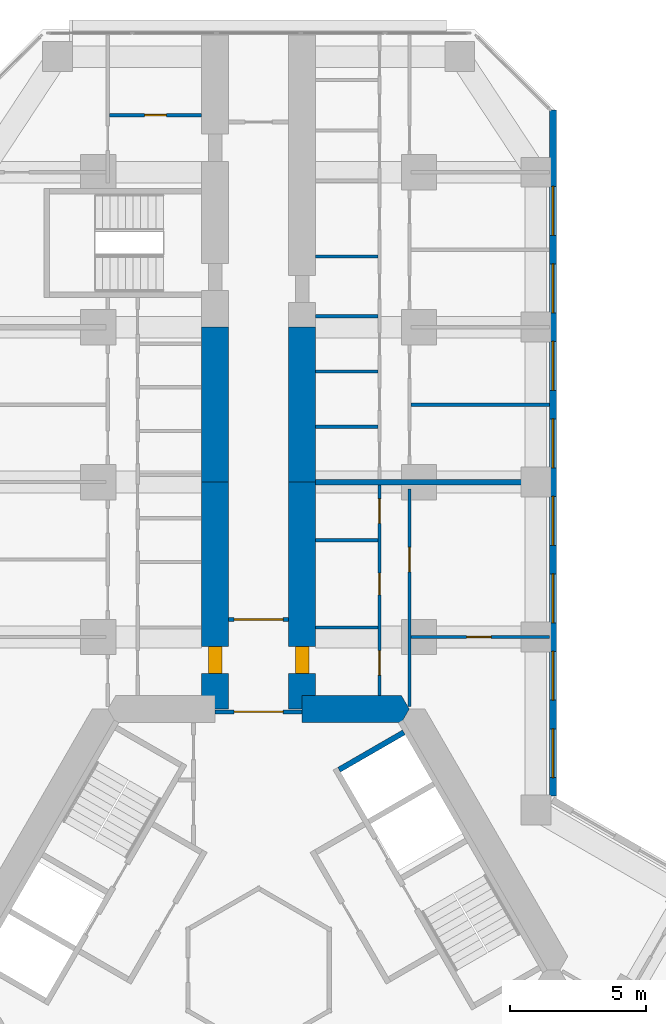
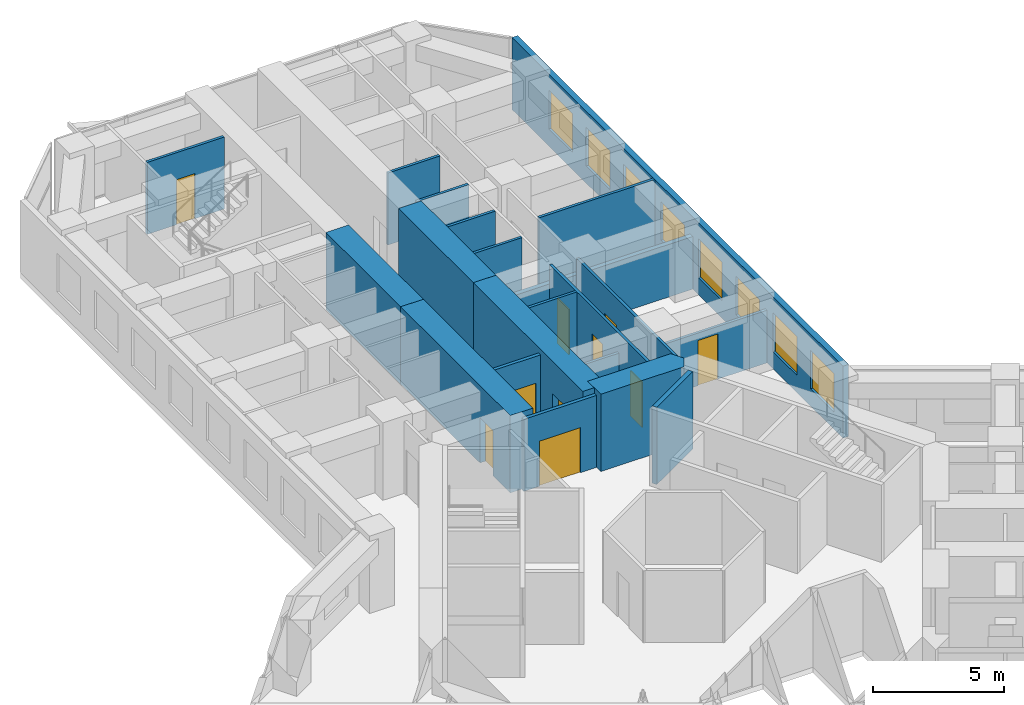
# One storey, part 18 of 21: 21 walls, 10 doors, 8 windows, 18 openings.
"""IFC4 building model written with IfcOpenShell, lengths in metres."""

from ifc_helpers import new_model, si_unit, direction, frame, frame_2d, origin, place, context, subcontext, project, spatial, polyline, rectangle, outline, extrude, material, layer, layer_set, type_object, element, fill, save


model = new_model("IFC4")

# Units and contexts
model_context = context("Model", 3, precision=1e-05, world=origin(), true_north=direction((0.0, 1.0)))
body_context = subcontext(model_context, "Body", "Model", "MODEL_VIEW")
ifc_project = project(units=[si_unit("LENGTHUNIT", "METRE"), si_unit("AREAUNIT", "SQUARE_METRE"), si_unit("VOLUMEUNIT", "CUBIC_METRE"), si_unit("PLANEANGLEUNIT", "RADIAN"), si_unit("MASSUNIT", "GRAM", prefix="KILO")], contexts=[model_context])

# Site, building, storey
site_placement = place(None, origin())
site = spatial("IfcSite", under=ifc_project, at=site_placement, CompositionType="ELEMENT")
building_placement = place(site_placement, origin())
building = spatial("IfcBuilding", under=site, at=building_placement, Name="Kosmar Iwan School Tower", CompositionType="ELEMENT")
storey_placement = place(building_placement, frame((0.0, 0.0, 39.39990234375)))
storey = spatial("IfcBuildingStorey", under=building, at=storey_placement, Name="L08", CompositionType="ELEMENT", Elevation=39.39990234375)

# Wall
ifc_material_1 = material(Name="Concrete C50/60", Category="concrete")
ifc_layer_1 = layer(ifc_material_1, 1.0)
ifc_layer_set_1 = layer_set([ifc_layer_1], Name="Core wall 1000")
wall_type_1 = type_object("IfcWallType", Name="Core wall 1000", PredefinedType="SHEAR", material=ifc_layer_set_1)
wall_1_placement = place(storey_placement, origin())
element("IfcWall", 1, at=wall_1_placement, inside=storey, type_object=wall_type_1, Name="Core wall F090a", PredefinedType="SHEAR", context=body_context, shape_type="SweptSolid", body=[
    extrude(outline(polyline([(1.60009765625, 9.10009765625), (5.25390625, 9.10009765625), (5.54248046875, 9.60009765625), (5.25390625, 10.10009765625), (1.60009765625, 10.10009765625), (1.60009765625, 9.10009765625)])), origin(), (0.0, 0.0, 1.0), 3.60009765625),
])

# Wall, opening, door
ifc_material_2 = material(Name="Concrete C50/60", Category="concrete")
ifc_layer_2 = layer(ifc_material_2, 1.0)
ifc_layer_set_2 = layer_set([ifc_layer_2], Name="Corridor buttress wall 1000")
wall_type_2 = type_object("IfcWallType", Name="Corridor buttress wall 1000", PredefinedType="SHEAR", material=ifc_layer_set_2)
wall_2_placement = place(storey_placement, frame((-1.60009765625, 9.60009765625, 0.0), z_axis=(0.0, 0.0, 1.0), x_axis=(0.0, 1.0, 0.0)))
wall_2 = element("IfcWall", 2, at=wall_2_placement, inside=storey, type_object=wall_type_2, Name="Corridor wall AL", PredefinedType="SHEAR", context=body_context, shape_type="SweptSolid", body=[
    extrude(rectangle(XDim=8.349853515625, YDim=1.0, at=frame_2d((4.1748046875, 0.0))), origin(), (0.0, 0.0, 1.0), 3.60009765625),
])
opening_1_placement = place(wall_2_placement, frame((1.300048828125, 0.0, 0.0)))
opening_1 = element("IfcOpeningElement", 3, at=opening_1_placement, cuts=wall_2, Name="Opening D1", PredefinedType="OPENING", context=body_context, shape_type="SweptSolid", body=[
    extrude(rectangle(XDim=1.0, YDim=2.10009765625, at=frame_2d((0.5, 1.050048828125))), frame((0.0, 0.511962890625, 0.0), z_axis=(0.0, -1.0, 0.0), x_axis=(1.0, 0.0, 0.0)), (0.0, 0.0, 1.0), 1.02392578125),
])
ifc_material_3 = material(Name="Timber fire door in steel frame", Category="steel")
door_type_1 = type_object("IfcDoorType", Name="Flat entrance door 1000x2100", OperationType="SINGLE_SWING_LEFT", PredefinedType="DOOR", material=ifc_material_3)
door_1_placement = place(opening_1_placement, origin())
door_1 = element("IfcDoor", 4, at=door_1_placement, inside=storey, type_object=door_type_1, Name="Flat L08-AL1 entrance door", OperationType="SINGLE_SWING_RIGHT", OverallHeight=2.10009765625, OverallWidth=1.0, PredefinedType="DOOR", context=body_context, shape_type="SweptSolid", body=[
    extrude(rectangle(XDim=1.0, YDim=2.10009765625, at=frame_2d((0.5, 1.050048828125))), frame((0.0, 0.25, 0.0), z_axis=(0.0, -1.0, 0.0), x_axis=(1.0, 0.0, 0.0)), (0.0, 0.0, 1.0), 0.5),
])
fill(opening_1, door_1)

# Wall
wall_3_placement = place(storey_placement, frame((-1.60009765625, 17.949951171875, 0.0), z_axis=(0.0, 0.0, 1.0), x_axis=(0.0, 1.0, 0.0)))
element("IfcWall", 5, at=wall_3_placement, inside=storey, type_object=wall_type_2, Name="Corridor wall AL bay 2", PredefinedType="SHEAR", context=body_context, shape_type="SweptSolid", body=[
    extrude(rectangle(XDim=5.699951171875, YDim=1.0, at=frame_2d((2.85009765625, 0.0))), origin(), (0.0, 0.0, 1.0), 3.60009765625),
])

# Wall, opening, door
wall_4_placement = place(storey_placement, frame((1.60009765625, 9.60009765625, 0.0), z_axis=(0.0, 0.0, 1.0), x_axis=(0.0, 1.0, 0.0)))
wall_4 = element("IfcWall", 6, at=wall_4_placement, inside=storey, type_object=wall_type_2, Name="Corridor wall AR", PredefinedType="SHEAR", context=body_context, shape_type="SweptSolid", body=[
    extrude(rectangle(XDim=8.349853515625, YDim=1.0, at=frame_2d((4.1748046875, 0.0))), origin(), (0.0, 0.0, 1.0), 3.60009765625),
])
opening_2_placement = place(wall_4_placement, frame((1.300048828125, 0.0, 0.0)))
opening_2 = element("IfcOpeningElement", 7, at=opening_2_placement, cuts=wall_4, Name="Opening D1", PredefinedType="OPENING", context=body_context, shape_type="SweptSolid", body=[
    extrude(rectangle(XDim=1.0, YDim=2.10009765625, at=frame_2d((0.5, 1.050048828125))), frame((0.0, 0.511962890625, 0.0), z_axis=(0.0, -1.0, 0.0), x_axis=(1.0, 0.0, 0.0)), (0.0, 0.0, 1.0), 1.02392578125),
])
door_2_placement = place(opening_2_placement, origin())
door_2 = element("IfcDoor", 8, at=door_2_placement, inside=storey, type_object=door_type_1, Name="Flat L08-AR1 entrance door", OperationType="SINGLE_SWING_RIGHT", OverallHeight=2.10009765625, OverallWidth=1.0, PredefinedType="DOOR", context=body_context, shape_type="SweptSolid", body=[
    extrude(rectangle(XDim=1.0, YDim=2.10009765625, at=frame_2d((0.5, 1.050048828125))), frame((0.0, 0.25, 0.0), z_axis=(0.0, -1.0, 0.0), x_axis=(1.0, 0.0, 0.0)), (0.0, 0.0, 1.0), 0.5),
])
fill(opening_2, door_2)

# Wall
wall_5_placement = place(storey_placement, frame((1.60009765625, 17.949951171875, 0.0), z_axis=(0.0, 0.0, 1.0), x_axis=(0.0, 1.0, 0.0)))
element("IfcWall", 9, at=wall_5_placement, inside=storey, type_object=wall_type_2, Name="Corridor wall AR bay 2", PredefinedType="SHEAR", context=body_context, shape_type="SweptSolid", body=[
    extrude(rectangle(XDim=5.699951171875, YDim=1.0, at=frame_2d((2.85009765625, 0.0))), origin(), (0.0, 0.0, 1.0), 3.60009765625),
])

# Wall, opening, door
ifc_material_4 = material(Name="Gypsum board on steel studs, fire-rated", Category="steel")
ifc_layer_3 = layer(ifc_material_4, 0.14990234375)
ifc_layer_set_3 = layer_set([ifc_layer_3], Name="Corridor end wall 150")
wall_type_3 = type_object("IfcWallType", Name="Corridor end wall 150", PredefinedType="PARTITIONING", material=ifc_layer_set_3)
wall_6_placement = place(storey_placement, frame((1.10009765625, 12.89990234375, 0.0), z_axis=(0.0, 0.0, 1.0), x_axis=(-1.0, 0.0, 0.0)))
wall_6 = element("IfcWall", 10, at=wall_6_placement, inside=storey, type_object=wall_type_3, Name="Partition L08-A-HW", PredefinedType="PARTITIONING", context=body_context, shape_type="SweptSolid", body=[
    extrude(rectangle(XDim=2.2001953125, YDim=0.14990234375, at=frame_2d((1.10009765625, 0.0))), origin(), (0.0, 0.0, 1.0), 3.35009765625),
])
opening_3_placement = place(wall_6_placement, frame((0.199951171875, 0.0, 0.0)))
opening_3 = element("IfcOpeningElement", 11, at=opening_3_placement, cuts=wall_6, Name="Opening D9", PredefinedType="OPENING", context=body_context, shape_type="SweptSolid", body=[
    extrude(rectangle(XDim=1.800048828125, YDim=2.10009765625, at=frame_2d((0.89990234375, 1.050048828125))), frame((0.0, 0.0869140625, 0.0), z_axis=(0.0, -1.0, 0.0), x_axis=(1.0, 0.0, 0.0)), (0.0, 0.0, 1.0), 0.173828125),
])
ifc_material_5 = material(Name="Steel framed glazed smoke door", Category="steel")
door_type_2 = type_object("IfcDoorType", Name="Corridor smoke door pair 1800x2100", OperationType="DOUBLE_DOOR_DOUBLE_SWING", PredefinedType="DOOR", material=ifc_material_5)
door_3_placement = place(opening_3_placement, origin())
door_3 = element("IfcDoor", 12, at=door_3_placement, inside=storey, type_object=door_type_2, Name="Entrance vestibule smoke doors L08-A", OperationType="DOUBLE_DOOR_DOUBLE_SWING", OverallHeight=2.10009765625, OverallWidth=1.800048828125, PredefinedType="DOOR", context=body_context, shape_type="SweptSolid", body=[
    extrude(rectangle(XDim=1.800048828125, YDim=2.10009765625, at=frame_2d((0.89990234375, 1.050048828125))), frame((0.0, 0.02490234375, 0.0), z_axis=(0.0, -1.0, 0.0), x_axis=(1.0, 0.0, 0.0)), (0.0, 0.0, 1.0), 0.050048828125),
])
fill(opening_3, door_3)

ifc_material_6 = material(Name="Steel framed glazed screen", Category="steel")
ifc_layer_4 = layer(ifc_material_6, 0.14990234375)
ifc_layer_set_4 = layer_set([ifc_layer_4], Name="Corridor screen wall 150")
wall_type_4 = type_object("IfcWallType", Name="Corridor screen wall 150", PredefinedType="PARTITIONING", material=ifc_layer_set_4)
wall_7_placement = place(storey_placement, frame((1.60009765625, 9.5, 0.0), z_axis=(0.0, 0.0, 1.0), x_axis=(-1.0, 0.0, 0.0)))
wall_7 = element("IfcWall", 13, at=wall_7_placement, inside=storey, type_object=wall_type_4, Name="Corridor screen A L08", PredefinedType="PARTITIONING", context=body_context, shape_type="SweptSolid", body=[
    extrude(rectangle(XDim=3.2001953125, YDim=0.14990234375, at=frame_2d((1.60009765625, 0.0))), origin(), (0.0, 0.0, 1.0), 3.35009765625),
])
opening_4_placement = place(wall_7_placement, frame((0.699951171875, 0.0, 0.0)))
opening_4 = element("IfcOpeningElement", 14, at=opening_4_placement, cuts=wall_7, Name="Opening D9", PredefinedType="OPENING", context=body_context, shape_type="SweptSolid", body=[
    extrude(rectangle(XDim=1.800048828125, YDim=2.10009765625, at=frame_2d((0.89990234375, 1.050048828125))), frame((0.0, 0.0869140625, 0.0), z_axis=(0.0, -1.0, 0.0), x_axis=(1.0, 0.0, 0.0)), (0.0, 0.0, 1.0), 0.173828125),
])
door_4_placement = place(opening_4_placement, origin())
door_4 = element("IfcDoor", 15, at=door_4_placement, inside=storey, type_object=door_type_2, Name="Corridor doors A L08", OperationType="DOUBLE_DOOR_DOUBLE_SWING", OverallHeight=2.10009765625, OverallWidth=1.800048828125, PredefinedType="DOOR", context=body_context, shape_type="SweptSolid", body=[
    extrude(rectangle(XDim=1.800048828125, YDim=2.10009765625, at=frame_2d((0.89990234375, 1.050048828125))), frame((0.0, 0.02490234375, 0.0), z_axis=(0.0, -1.0, 0.0), x_axis=(1.0, 0.0, 0.0)), (0.0, 0.0, 1.0), 0.050048828125),
])
fill(opening_4, door_4)

ifc_material_7 = material(Name="Gypsum board on steel studs", Category="steel")
ifc_layer_5 = layer(ifc_material_7, 0.1201171875)
ifc_layer_set_5 = layer_set([ifc_layer_5], Name="Dwelling partition 120")
wall_type_5 = type_object("IfcWallType", Name="Dwelling partition 120", PredefinedType="PARTITIONING", material=ifc_layer_set_5)
wall_8_placement = place(storey_placement, frame((-2.10009765625, 31.449951171875, 0.0), z_axis=(0.0, 0.0, 1.0), x_axis=(-1.0, 0.0, 0.0)))
wall_8 = element("IfcWall", 16, at=wall_8_placement, inside=storey, type_object=wall_type_5, Name="Partition L08-AL2-TY", PredefinedType="PARTITIONING", context=body_context, shape_type="SweptSolid", body=[
    extrude(rectangle(XDim=3.389892578125, YDim=0.1201171875, at=frame_2d((1.69482421875, 0.0))), origin(), (0.0, 0.0, 1.0), 3.35009765625),
])
opening_5_placement = place(wall_8_placement, frame((1.294921875, 0.0, 0.0)))
opening_5 = element("IfcOpeningElement", 17, at=opening_5_placement, cuts=wall_8, Name="Opening D3", PredefinedType="OPENING", context=body_context, shape_type="SweptSolid", body=[
    extrude(rectangle(XDim=0.800048828125, YDim=2.10009765625, at=frame_2d((0.39990234375, 1.050048828125))), frame((0.0, 0.072021484375, 0.0), z_axis=(0.0, -1.0, 0.0), x_axis=(1.0, 0.0, 0.0)), (0.0, 0.0, 1.0), 0.14404296875),
])
ifc_material_8 = material(Name="Timber door in timber frame", Category="wood")
door_type_3 = type_object("IfcDoorType", Name="Sanitary room door 800x2100", OperationType="SINGLE_SWING_LEFT", PredefinedType="DOOR", material=ifc_material_8)
door_5_placement = place(opening_5_placement, origin())
door_5 = element("IfcDoor", 18, at=door_5_placement, inside=storey, type_object=door_type_3, Name="Bathroom door L08-AL2-T4", OperationType="SINGLE_SWING_RIGHT", OverallHeight=2.10009765625, OverallWidth=0.800048828125, PredefinedType="DOOR", context=body_context, shape_type="SweptSolid", body=[
    extrude(rectangle(XDim=0.800048828125, YDim=2.10009765625, at=frame_2d((0.39990234375, 1.050048828125))), frame((0.0, 0.02490234375, 0.0), z_axis=(0.0, -1.0, 0.0), x_axis=(1.0, 0.0, 0.0)), (0.0, 0.0, 1.0), 0.050048828125),
])
fill(opening_5, door_5)

# Wall, openings, doors
wall_9_placement = place(storey_placement, frame((4.449951171875, 10.10009765625, 0.0), z_axis=(0.0, 0.0, 1.0), x_axis=(0.0, 1.0, 0.0)))
wall_9 = element("IfcWall", 19, at=wall_9_placement, inside=storey, type_object=wall_type_5, Name="Partition L08-AR1-W1", PredefinedType="PARTITIONING", context=body_context, shape_type="SweptSolid", body=[
    extrude(rectangle(XDim=7.75, YDim=0.1201171875, at=frame_2d((3.875, 0.0))), origin(), (0.0, 0.0, 1.0), 3.35009765625),
])
opening_6_placement = place(wall_9_placement, frame((0.75, 0.0, 0.0)))
opening_6 = element("IfcOpeningElement", 20, at=opening_6_placement, cuts=wall_9, Name="Opening D2", PredefinedType="OPENING", context=body_context, shape_type="SweptSolid", body=[
    extrude(rectangle(XDim=0.89990234375, YDim=2.10009765625, at=frame_2d((0.449951171875, 1.050048828125))), frame((0.0, 0.072021484375, 0.0), z_axis=(0.0, -1.0, 0.0), x_axis=(1.0, 0.0, 0.0)), (0.0, 0.0, 1.0), 0.14404296875),
])
opening_7_placement = place(wall_9_placement, frame((3.705078125, 0.0, 0.0)))
opening_7 = element("IfcOpeningElement", 21, at=opening_7_placement, cuts=wall_9, Name="Opening D3", PredefinedType="OPENING", context=body_context, shape_type="SweptSolid", body=[
    extrude(rectangle(XDim=0.800048828125, YDim=2.10009765625, at=frame_2d((0.39990234375, 1.050048828125))), frame((0.0, 0.072021484375, 0.0), z_axis=(0.0, -1.0, 0.0), x_axis=(1.0, 0.0, 0.0)), (0.0, 0.0, 1.0), 0.14404296875),
])
opening_8_placement = place(wall_9_placement, frame((6.330078125, 0.0, 0.0)))
opening_8 = element("IfcOpeningElement", 22, at=opening_8_placement, cuts=wall_9, Name="Opening D2", PredefinedType="OPENING", context=body_context, shape_type="SweptSolid", body=[
    extrude(rectangle(XDim=0.89990234375, YDim=2.10009765625, at=frame_2d((0.449951171875, 1.050048828125))), frame((0.0, 0.072021484375, 0.0), z_axis=(0.0, -1.0, 0.0), x_axis=(1.0, 0.0, 0.0)), (0.0, 0.0, 1.0), 0.14404296875),
])
ifc_material_9 = material(Name="Timber door in timber frame", Category="wood")
door_type_4 = type_object("IfcDoorType", Name="Internal door 900x2100", OperationType="SINGLE_SWING_LEFT", PredefinedType="DOOR", material=ifc_material_9)
door_6_placement = place(opening_6_placement, origin())
door_6 = element("IfcDoor", 23, at=door_6_placement, inside=storey, type_object=door_type_4, Name="Entrance hall door L08-AR1-S1", OperationType="SINGLE_SWING_LEFT", OverallHeight=2.10009765625, OverallWidth=0.89990234375, PredefinedType="DOOR", context=body_context, shape_type="SweptSolid", body=[
    extrude(rectangle(XDim=0.89990234375, YDim=2.10009765625, at=frame_2d((0.449951171875, 1.050048828125))), frame((0.0, 0.02490234375, 0.0), z_axis=(0.0, -1.0, 0.0), x_axis=(1.0, 0.0, 0.0)), (0.0, 0.0, 1.0), 0.050048828125),
])
fill(opening_6, door_6)
door_7_placement = place(opening_8_placement, origin())
door_7 = element("IfcDoor", 24, at=door_7_placement, inside=storey, type_object=door_type_4, Name="Pantry door L08-AR1-S3", OperationType="SINGLE_SWING_RIGHT", OverallHeight=2.10009765625, OverallWidth=0.89990234375, PredefinedType="DOOR", context=body_context, shape_type="SweptSolid", body=[
    extrude(rectangle(XDim=0.89990234375, YDim=2.10009765625, at=frame_2d((0.449951171875, 1.050048828125))), frame((0.0, 0.02490234375, 0.0), z_axis=(0.0, -1.0, 0.0), x_axis=(1.0, 0.0, 0.0)), (0.0, 0.0, 1.0), 0.050048828125),
])
fill(opening_8, door_7)
door_8_placement = place(opening_7_placement, origin())
door_8 = element("IfcDoor", 25, at=door_8_placement, inside=storey, type_object=door_type_3, Name="Bathroom door L08-AR1-S2", OperationType="SINGLE_SWING_RIGHT", OverallHeight=2.10009765625, OverallWidth=0.800048828125, PredefinedType="DOOR", context=body_context, shape_type="SweptSolid", body=[
    extrude(rectangle(XDim=0.800048828125, YDim=2.10009765625, at=frame_2d((0.39990234375, 1.050048828125))), frame((0.0, 0.02490234375, 0.0), z_axis=(0.0, -1.0, 0.0), x_axis=(1.0, 0.0, 0.0)), (0.0, 0.0, 1.0), 0.050048828125),
])
fill(opening_7, door_8)

# Wall, opening, door
wall_10_placement = place(storey_placement, frame((5.550048828125, 9.69091796875, 0.0), z_axis=(0.0, 0.0, 1.0), x_axis=(0.0, 1.0, 0.0)))
wall_10 = element("IfcWall", 26, at=wall_10_placement, inside=storey, type_object=wall_type_5, Name="Partition L08-AR1-W2", PredefinedType="PARTITIONING", context=body_context, shape_type="SweptSolid", body=[
    extrude(rectangle(XDim=8.009033203125, YDim=0.1201171875, at=frame_2d((4.00439453125, 0.0))), origin(), (0.0, 0.0, 1.0), 3.35009765625),
])
opening_9_placement = place(wall_10_placement, frame((4.958984375, 0.0, 0.0)))
opening_9 = element("IfcOpeningElement", 27, at=opening_9_placement, cuts=wall_10, Name="Opening D2", PredefinedType="OPENING", context=body_context, shape_type="SweptSolid", body=[
    extrude(rectangle(XDim=0.89990234375, YDim=2.10009765625, at=frame_2d((0.449951171875, 1.050048828125))), frame((0.0, 0.072021484375, 0.0), z_axis=(0.0, -1.0, 0.0), x_axis=(1.0, 0.0, 0.0)), (0.0, 0.0, 1.0), 0.14404296875),
])
door_9_placement = place(opening_9_placement, origin())
door_9 = element("IfcDoor", 28, at=door_9_placement, inside=storey, type_object=door_type_4, Name="Studio living room door L08-AR1-F2", OperationType="SINGLE_SWING_RIGHT", OverallHeight=2.10009765625, OverallWidth=0.89990234375, PredefinedType="DOOR", context=body_context, shape_type="SweptSolid", body=[
    extrude(rectangle(XDim=0.89990234375, YDim=2.10009765625, at=frame_2d((0.449951171875, 1.050048828125))), frame((0.0, 0.02490234375, 0.0), z_axis=(0.0, -1.0, 0.0), x_axis=(1.0, 0.0, 0.0)), (0.0, 0.0, 1.0), 0.050048828125),
])
fill(opening_9, door_9)

wall_11_placement = place(storey_placement, frame((5.610107421875, 12.25, 0.0), z_axis=(0.0, 0.0, 1.0), x_axis=(1.0, 0.0, 0.0)))
wall_11 = element("IfcWall", 29, at=wall_11_placement, inside=storey, type_object=wall_type_5, Name="Partition L08-AR1-X1", PredefinedType="PARTITIONING", context=body_context, shape_type="SweptSolid", body=[
    extrude(rectangle(XDim=5.08984375, YDim=0.1201171875, at=frame_2d((2.544921875, 0.0))), origin(), (0.0, 0.0, 1.0), 2.4501953125),
])
opening_10_placement = place(wall_11_placement, frame((2.0400390625, 0.0, 0.0)))
opening_10 = element("IfcOpeningElement", 30, at=opening_10_placement, cuts=wall_11, Name="Opening D2", PredefinedType="OPENING", context=body_context, shape_type="SweptSolid", body=[
    extrude(rectangle(XDim=0.89990234375, YDim=2.10009765625, at=frame_2d((0.449951171875, 1.050048828125))), frame((0.0, 0.072021484375, 0.0), z_axis=(0.0, -1.0, 0.0), x_axis=(1.0, 0.0, 0.0)), (0.0, 0.0, 1.0), 0.14404296875),
])
door_10_placement = place(opening_10_placement, origin())
door_10 = element("IfcDoor", 31, at=door_10_placement, inside=storey, type_object=door_type_4, Name="Kitchen and dining room door L08-AR1-F1", OperationType="SINGLE_SWING_LEFT", OverallHeight=2.10009765625, OverallWidth=0.89990234375, PredefinedType="DOOR", context=body_context, shape_type="SweptSolid", body=[
    extrude(rectangle(XDim=0.89990234375, YDim=2.10009765625, at=frame_2d((0.449951171875, 1.050048828125))), frame((0.0, 0.02490234375, 0.0), z_axis=(0.0, -1.0, 0.0), x_axis=(1.0, 0.0, 0.0)), (0.0, 0.0, 1.0), 0.050048828125),
])
fill(opening_10, door_10)

# Walls
wall_12_placement = place(storey_placement, frame((2.10009765625, 12.60009765625, 0.0), z_axis=(0.0, 0.0, 1.0), x_axis=(1.0, 0.0, 0.0)))
element("IfcWall", 32, at=wall_12_placement, inside=storey, type_object=wall_type_5, Name="Partition L08-AR1-Y1", PredefinedType="PARTITIONING", context=body_context, shape_type="SweptSolid", body=[
    extrude(rectangle(XDim=2.289794921875, YDim=0.1201171875, at=frame_2d((1.14501953125, 0.0))), origin(), (0.0, 0.0, 1.0), 2.4501953125),
])
wall_13_placement = place(storey_placement, frame((2.10009765625, 15.81005859375, 0.0), z_axis=(0.0, 0.0, 1.0), x_axis=(1.0, 0.0, 0.0)))
element("IfcWall", 33, at=wall_13_placement, inside=storey, type_object=wall_type_5, Name="Partition L08-AR1-Y2", PredefinedType="PARTITIONING", context=body_context, shape_type="SweptSolid", body=[
    extrude(rectangle(XDim=2.289794921875, YDim=0.1201171875, at=frame_2d((1.14501953125, 0.0))), origin(), (0.0, 0.0, 1.0), 3.35009765625),
])
wall_14_placement = place(storey_placement, frame((5.610107421875, 20.800048828125, 0.0), z_axis=(0.0, 0.0, 1.0), x_axis=(1.0, 0.0, 0.0)))
element("IfcWall", 34, at=wall_14_placement, inside=storey, type_object=wall_type_5, Name="Partition L08-AR2-X1", PredefinedType="PARTITIONING", context=body_context, shape_type="SweptSolid", body=[
    extrude(rectangle(XDim=5.08984375, YDim=0.1201171875, at=frame_2d((2.544921875, 0.0))), origin(), (0.0, 0.0, 1.0), 3.35009765625),
])
for number, where, z_axis, x_axis, name in (
    (35, (2.10009765625, 19.9833984375, 0.0), (0.0, 0.0, 1.0), (1.0, 0.0, 0.0), "Partition L08-AR2-Y1"),
    (36, (2.10009765625, 22.0166015625, 0.0), (0.0, 0.0, 1.0), (1.0, 0.0, 0.0), "Partition L08-AR2-Y2"),
    (37, (2.10009765625, 24.050048828125, 0.0), (0.0, 0.0, 1.0), (1.0, 0.0, 0.0), "Partition L08-AR2-Y3"),
    (38, (2.10009765625, 26.25, 0.0), (0.0, 0.0, 1.0), (1.0, 0.0, 0.0), "Partition L08-AR2-Y4"),
):
    element("IfcWall", number, at=place(storey_placement, frame(where, z_axis=z_axis, x_axis=x_axis)), inside=storey, type_object=wall_type_5, Name=name, PredefinedType="PARTITIONING", context=body_context, shape_type="SweptSolid", body=[
        extrude(rectangle(XDim=2.289794921875, YDim=0.1201171875, at=frame_2d((1.14501953125, 0.0))), origin(), (0.0, 0.0, 1.0), 3.35009765625),
    ])

# Wall, openings, windows
ifc_material_10 = material(Name="Black aluminium rainscreen on insulated framing", Category="aluminium")
ifc_layer_6 = layer(ifc_material_10, 0.25)
ifc_layer_set_6 = layer_set([ifc_layer_6], Name="External wall rainscreen 250")
wall_type_6 = type_object("IfcWallType", Name="External wall rainscreen 250", PredefinedType="SOLIDWALL", material=ifc_layer_set_6)
wall_15_placement = place(storey_placement, frame((10.824951171875, 6.408935546875, 0.0), z_axis=(0.0, 0.0, 1.0), x_axis=(0.0, 1.0, 0.0)))
wall_15 = element("IfcWall", 39, at=wall_15_placement, inside=storey, type_object=wall_type_6, Name="External wall AR L08", PredefinedType="SOLIDWALL", context=body_context, shape_type="SweptSolid", body=[
    extrude(rectangle(XDim=25.226318359375, YDim=0.25, at=frame_2d((12.61328125, 0.0))), origin(), (0.0, 0.0, 1.0), 3.35009765625),
])
opening_11_placement = place(wall_15_placement, frame((0.666015625, 0.0, 0.800048828125)))
opening_11 = element("IfcOpeningElement", 40, at=opening_11_placement, cuts=wall_15, Name="Opening W1", PredefinedType="OPENING", context=body_context, shape_type="SweptSolid", body=[
    extrude(rectangle(XDim=1.800048828125, YDim=1.800048828125, at=frame_2d((0.89990234375, 0.89990234375))), frame((0.0, 0.136962890625, 0.0), z_axis=(0.0, -1.0, 0.0), x_axis=(1.0, 0.0, 0.0)), (0.0, 0.0, 1.0), 0.27392578125),
])
opening_12_placement = place(wall_15_placement, frame((3.51611328125, 0.0, 0.800048828125)))
opening_12 = element("IfcOpeningElement", 41, at=opening_12_placement, cuts=wall_15, Name="Opening W1", PredefinedType="OPENING", context=body_context, shape_type="SweptSolid", body=[
    extrude(rectangle(XDim=1.800048828125, YDim=1.800048828125, at=frame_2d((0.89990234375, 0.89990234375))), frame((0.0, 0.136962890625, 0.0), z_axis=(0.0, -1.0, 0.0), x_axis=(1.0, 0.0, 0.0)), (0.0, 0.0, 1.0), 0.27392578125),
])
opening_13_placement = place(wall_15_placement, frame((6.365966796875, 0.0, 0.800048828125)))
opening_13 = element("IfcOpeningElement", 42, at=opening_13_placement, cuts=wall_15, Name="Opening W1", PredefinedType="OPENING", context=body_context, shape_type="SweptSolid", body=[
    extrude(rectangle(XDim=1.800048828125, YDim=1.800048828125, at=frame_2d((0.89990234375, 0.89990234375))), frame((0.0, 0.136962890625, 0.0), z_axis=(0.0, -1.0, 0.0), x_axis=(1.0, 0.0, 0.0)), (0.0, 0.0, 1.0), 0.27392578125),
])
opening_14_placement = place(wall_15_placement, frame((9.216064453125, 0.0, 0.800048828125)))
opening_14 = element("IfcOpeningElement", 43, at=opening_14_placement, cuts=wall_15, Name="Opening W1", PredefinedType="OPENING", context=body_context, shape_type="SweptSolid", body=[
    extrude(rectangle(XDim=1.800048828125, YDim=1.800048828125, at=frame_2d((0.89990234375, 0.89990234375))), frame((0.0, 0.136962890625, 0.0), z_axis=(0.0, -1.0, 0.0), x_axis=(1.0, 0.0, 0.0)), (0.0, 0.0, 1.0), 0.27392578125),
])
opening_15_placement = place(wall_15_placement, frame((12.06591796875, 0.0, 0.800048828125)))
opening_15 = element("IfcOpeningElement", 44, at=opening_15_placement, cuts=wall_15, Name="Opening W1", PredefinedType="OPENING", context=body_context, shape_type="SweptSolid", body=[
    extrude(rectangle(XDim=1.800048828125, YDim=1.800048828125, at=frame_2d((0.89990234375, 0.89990234375))), frame((0.0, 0.136962890625, 0.0), z_axis=(0.0, -1.0, 0.0), x_axis=(1.0, 0.0, 0.0)), (0.0, 0.0, 1.0), 0.27392578125),
])
opening_16_placement = place(wall_15_placement, frame((14.916015625, 0.0, 0.800048828125)))
opening_16 = element("IfcOpeningElement", 45, at=opening_16_placement, cuts=wall_15, Name="Opening W1", PredefinedType="OPENING", context=body_context, shape_type="SweptSolid", body=[
    extrude(rectangle(XDim=1.800048828125, YDim=1.800048828125, at=frame_2d((0.89990234375, 0.89990234375))), frame((0.0, 0.136962890625, 0.0), z_axis=(0.0, -1.0, 0.0), x_axis=(1.0, 0.0, 0.0)), (0.0, 0.0, 1.0), 0.27392578125),
])
opening_17_placement = place(wall_15_placement, frame((17.76611328125, 0.0, 0.800048828125)))
opening_17 = element("IfcOpeningElement", 46, at=opening_17_placement, cuts=wall_15, Name="Opening W1", PredefinedType="OPENING", context=body_context, shape_type="SweptSolid", body=[
    extrude(rectangle(XDim=1.800048828125, YDim=1.800048828125, at=frame_2d((0.89990234375, 0.89990234375))), frame((0.0, 0.136962890625, 0.0), z_axis=(0.0, -1.0, 0.0), x_axis=(1.0, 0.0, 0.0)), (0.0, 0.0, 1.0), 0.27392578125),
])
opening_18_placement = place(wall_15_placement, frame((20.615966796875, 0.0, 0.800048828125)))
opening_18 = element("IfcOpeningElement", 47, at=opening_18_placement, cuts=wall_15, Name="Opening W1", PredefinedType="OPENING", context=body_context, shape_type="SweptSolid", body=[
    extrude(rectangle(XDim=1.800048828125, YDim=1.800048828125, at=frame_2d((0.89990234375, 0.89990234375))), frame((0.0, 0.136962890625, 0.0), z_axis=(0.0, -1.0, 0.0), x_axis=(1.0, 0.0, 0.0)), (0.0, 0.0, 1.0), 0.27392578125),
])
ifc_material_11 = material(Name="Black aluminium frame with dark triple glazing", Category="aluminium")
window_type = type_object("IfcWindowType", Name="Window 1800x1800", PartitioningType="SINGLE_PANEL", PredefinedType="WINDOW", material=ifc_material_11)
window_1_placement = place(opening_11_placement, origin())
window_1 = element("IfcWindow", 48, at=window_1_placement, inside=storey, type_object=window_type, Name="Window AR L08 -1", OverallHeight=1.800048828125, OverallWidth=1.800048828125, PartitioningType="SINGLE_PANEL", PredefinedType="WINDOW", context=body_context, shape_type="SweptSolid", body=[
    extrude(rectangle(XDim=1.800048828125, YDim=1.800048828125, at=frame_2d((0.89990234375, 0.89990234375))), frame((0.0, 0.030029296875, 0.0), z_axis=(0.0, -1.0, 0.0), x_axis=(1.0, 0.0, 0.0)), (0.0, 0.0, 1.0), 0.06005859375),
])
fill(opening_11, window_1)
window_2_placement = place(opening_12_placement, origin())
window_2 = element("IfcWindow", 49, at=window_2_placement, inside=storey, type_object=window_type, Name="Window AR L08 0", OverallHeight=1.800048828125, OverallWidth=1.800048828125, PartitioningType="SINGLE_PANEL", PredefinedType="WINDOW", context=body_context, shape_type="SweptSolid", body=[
    extrude(rectangle(XDim=1.800048828125, YDim=1.800048828125, at=frame_2d((0.89990234375, 0.89990234375))), frame((0.0, 0.030029296875, 0.0), z_axis=(0.0, -1.0, 0.0), x_axis=(1.0, 0.0, 0.0)), (0.0, 0.0, 1.0), 0.06005859375),
])
fill(opening_12, window_2)
window_3_placement = place(opening_13_placement, origin())
window_3 = element("IfcWindow", 50, at=window_3_placement, inside=storey, type_object=window_type, Name="Window AR L08 1", OverallHeight=1.800048828125, OverallWidth=1.800048828125, PartitioningType="SINGLE_PANEL", PredefinedType="WINDOW", context=body_context, shape_type="SweptSolid", body=[
    extrude(rectangle(XDim=1.800048828125, YDim=1.800048828125, at=frame_2d((0.89990234375, 0.89990234375))), frame((0.0, 0.030029296875, 0.0), z_axis=(0.0, -1.0, 0.0), x_axis=(1.0, 0.0, 0.0)), (0.0, 0.0, 1.0), 0.06005859375),
])
fill(opening_13, window_3)
window_4_placement = place(opening_14_placement, origin())
window_4 = element("IfcWindow", 51, at=window_4_placement, inside=storey, type_object=window_type, Name="Window AR L08 2", OverallHeight=1.800048828125, OverallWidth=1.800048828125, PartitioningType="SINGLE_PANEL", PredefinedType="WINDOW", context=body_context, shape_type="SweptSolid", body=[
    extrude(rectangle(XDim=1.800048828125, YDim=1.800048828125, at=frame_2d((0.89990234375, 0.89990234375))), frame((0.0, 0.030029296875, 0.0), z_axis=(0.0, -1.0, 0.0), x_axis=(1.0, 0.0, 0.0)), (0.0, 0.0, 1.0), 0.06005859375),
])
fill(opening_14, window_4)
window_5_placement = place(opening_15_placement, origin())
window_5 = element("IfcWindow", 52, at=window_5_placement, inside=storey, type_object=window_type, Name="Window AR L08 3", OverallHeight=1.800048828125, OverallWidth=1.800048828125, PartitioningType="SINGLE_PANEL", PredefinedType="WINDOW", context=body_context, shape_type="SweptSolid", body=[
    extrude(rectangle(XDim=1.800048828125, YDim=1.800048828125, at=frame_2d((0.89990234375, 0.89990234375))), frame((0.0, 0.030029296875, 0.0), z_axis=(0.0, -1.0, 0.0), x_axis=(1.0, 0.0, 0.0)), (0.0, 0.0, 1.0), 0.06005859375),
])
fill(opening_15, window_5)
window_6_placement = place(opening_16_placement, origin())
window_6 = element("IfcWindow", 53, at=window_6_placement, inside=storey, type_object=window_type, Name="Window AR L08 4", OverallHeight=1.800048828125, OverallWidth=1.800048828125, PartitioningType="SINGLE_PANEL", PredefinedType="WINDOW", context=body_context, shape_type="SweptSolid", body=[
    extrude(rectangle(XDim=1.800048828125, YDim=1.800048828125, at=frame_2d((0.89990234375, 0.89990234375))), frame((0.0, 0.030029296875, 0.0), z_axis=(0.0, -1.0, 0.0), x_axis=(1.0, 0.0, 0.0)), (0.0, 0.0, 1.0), 0.06005859375),
])
fill(opening_16, window_6)
window_7_placement = place(opening_17_placement, origin())
window_7 = element("IfcWindow", 54, at=window_7_placement, inside=storey, type_object=window_type, Name="Window AR L08 5", OverallHeight=1.800048828125, OverallWidth=1.800048828125, PartitioningType="SINGLE_PANEL", PredefinedType="WINDOW", context=body_context, shape_type="SweptSolid", body=[
    extrude(rectangle(XDim=1.800048828125, YDim=1.800048828125, at=frame_2d((0.89990234375, 0.89990234375))), frame((0.0, 0.030029296875, 0.0), z_axis=(0.0, -1.0, 0.0), x_axis=(1.0, 0.0, 0.0)), (0.0, 0.0, 1.0), 0.06005859375),
])
fill(opening_17, window_7)
window_8_placement = place(opening_18_placement, origin())
window_8 = element("IfcWindow", 55, at=window_8_placement, inside=storey, type_object=window_type, Name="Window AR L08 6", OverallHeight=1.800048828125, OverallWidth=1.800048828125, PartitioningType="SINGLE_PANEL", PredefinedType="WINDOW", context=body_context, shape_type="SweptSolid", body=[
    extrude(rectangle(XDim=1.800048828125, YDim=1.800048828125, at=frame_2d((0.89990234375, 0.89990234375))), frame((0.0, 0.030029296875, 0.0), z_axis=(0.0, -1.0, 0.0), x_axis=(1.0, 0.0, 0.0)), (0.0, 0.0, 1.0), 0.06005859375),
])
fill(opening_18, window_8)

# Walls
ifc_material_12 = material(Name="Concrete C50/60", Category="concrete")
ifc_layer_7 = layer(ifc_material_12, 0.199951171875)
ifc_layer_set_7 = layer_set([ifc_layer_7], Name="Lift shaft wall 200")
wall_type_7 = type_object("IfcWallType", Name="Lift shaft wall 200", PredefinedType="SHEAR", material=ifc_layer_set_7)
wall_16_placement = place(storey_placement, frame((2.962646484375, 7.368408203125, 0.0), z_axis=(0.0, 0.0, 1.0), x_axis=(0.866027397988, 0.499996545922, 0.0)))
element("IfcWall", 56, at=wall_16_placement, inside=storey, type_object=wall_type_7, Name="Lift shaft wall AC 2", PredefinedType="SHEAR", context=body_context, shape_type="SweptSolid", body=[
    extrude(rectangle(XDim=2.75, YDim=0.199951171875, at=frame_2d((1.375, 0.0))), origin(), (0.0, 0.0, 1.0), 3.60009765625),
])
ifc_material_13 = material(Name="Concrete block masonry", Category="masonry")
ifc_layer_8 = layer(ifc_material_13, 0.199951171875)
ifc_layer_set_8 = layer_set([ifc_layer_8], Name="Party wall 200")
wall_type_8 = type_object("IfcWallType", Name="Party wall 200", PredefinedType="PARTITIONING", material=ifc_layer_set_8)
wall_17_placement = place(storey_placement, frame((2.10009765625, 17.949951171875, 0.0), z_axis=(0.0, 0.0, 1.0), x_axis=(1.0, 0.0, 0.0)))
element("IfcWall", 57, at=wall_17_placement, inside=storey, type_object=wall_type_8, Name="Partition L08-AR2-PW", PredefinedType="PARTITIONING", context=body_context, shape_type="SweptSolid", body=[
    extrude(rectangle(XDim=8.599853515625, YDim=0.199951171875, at=frame_2d((4.2998046875, 0.0))), origin(), (0.0, 0.0, 1.0), 2.4501953125),
])

save(model, "model.ifc")
